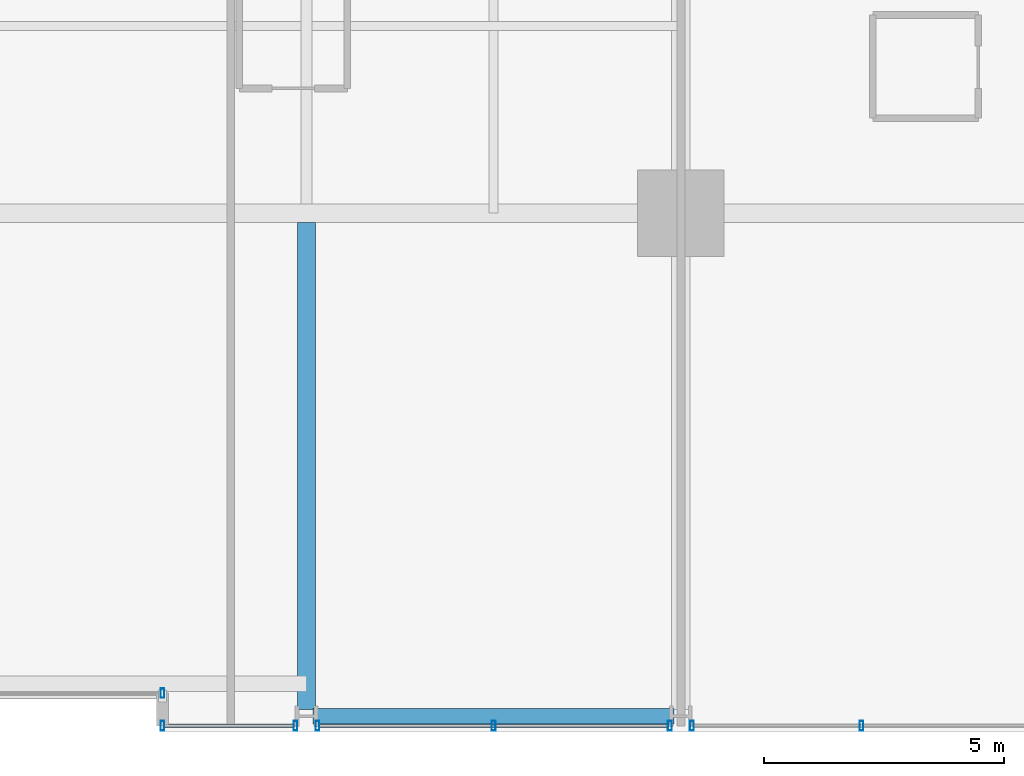
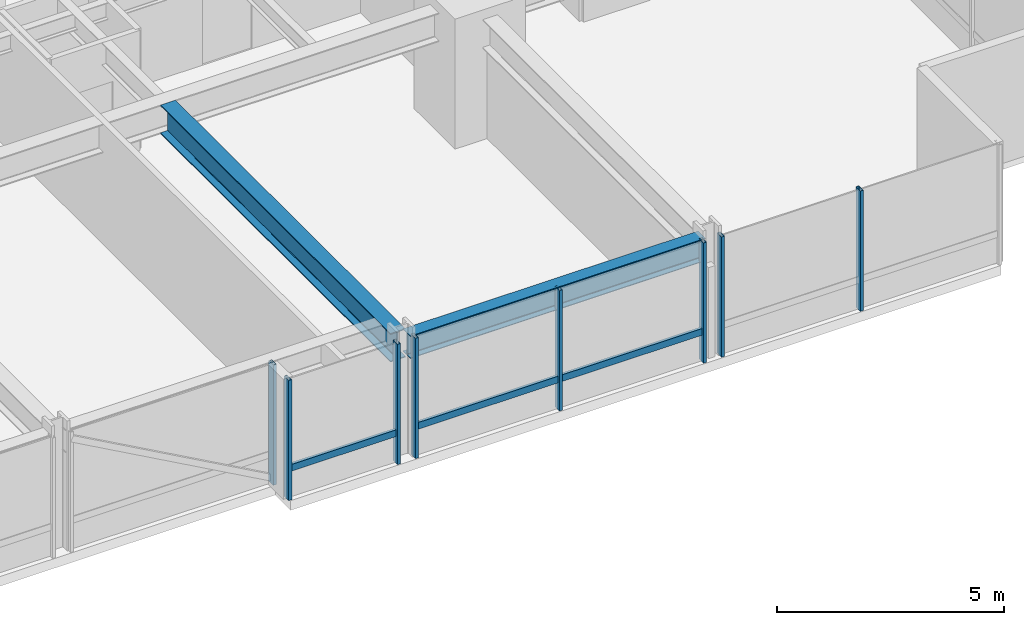
# One storey, part 11 of 38: 10 members, 2 beams, 4 elements without a shape of their own.
"""IFC4 building model written with IfcOpenShell, lengths in metres."""

import ifcopenshell
import ifcopenshell.guid

model = None  # the IFC model being written
_history = None  # IfcOwnerHistory: only IFC2X3 demands one
_inside = {}  # id of a spatial element -> (the spatial element, [elements in it])
_under = {}  # id of a project, library or spatial element -> (it, [spatial elements below it])
_declared = {}  # id of a project -> (the project, [libraries it declares])
_typed = {}  # id of a type object -> (the type object, [elements of that type])
_made_of = {}  # id of a material, layer set ... -> (it, [elements and type objects made of it])


def new_model(schema):
    """Start an empty IFC model of exactly this schema.

    Asked for "IFC4X3", IfcOpenShell would pick the latest addendum, in which some entities
    have other attributes; the version numbers below select the first issue.
    IFC2X3 requires an IfcOwnerHistory on every rooted entity: one is made here for all.
    """
    global model, _history
    if schema == "IFC4X3":
        model = ifcopenshell.file(schema_version=(4, 3, 0, 0))
    else:
        model = ifcopenshell.file(schema=schema)
    _inside.clear()
    _under.clear()
    _declared.clear()
    _typed.clear()
    _made_of.clear()
    _history = None
    if model.schema == "IFC2X3":
        org = make("IfcOrganization", Name="unknown")
        user = make(
            "IfcPersonAndOrganization",
            ThePerson=make("IfcPerson", FamilyName="unknown"),
            TheOrganization=org,
        )
        app = make(
            "IfcApplication",
            ApplicationDeveloper=org,
            Version="unknown",
            ApplicationFullName="unknown",
            ApplicationIdentifier="unknown",
        )
        _history = make(
            "IfcOwnerHistory",
            OwningUser=user,
            OwningApplication=app,
            ChangeAction="ADDED",
            CreationDate=0,
        )
    return model


def make(cls, **values):
    """One entity of the class cls with the attributes given. An attribute that is None is left unset."""
    return model.create_entity(
        cls, **{name: value for name, value in values.items() if value is not None}
    )


def rooted(cls, **values):
    """An entity with a GlobalId (a new one), such as an element, a storey or a relation."""
    return make(cls, GlobalId=ifcopenshell.guid.new(), OwnerHistory=_history, **values)


def si_unit(unit_type, name, prefix=None):
    """IfcSIUnit, for example si_unit("LENGTHUNIT", "METRE", prefix="MILLI")."""
    return make("IfcSIUnit", UnitType=unit_type, Prefix=prefix, Name=name)


def assignment(units):
    """IfcUnitAssignment: the units of a project."""
    return None if units is None else make("IfcUnitAssignment", Units=units)


def point(xyz):
    """IfcCartesianPoint."""
    return None if xyz is None else make("IfcCartesianPoint", Coordinates=xyz)


def direction(xyz):
    """IfcDirection."""
    return None if xyz is None else make("IfcDirection", DirectionRatios=xyz)


def frame(location, z_axis=None, x_axis=None):
    """IfcAxis2Placement3D, a coordinate frame: its origin and axes. An axis left out is left unset."""
    return make(
        "IfcAxis2Placement3D",
        Location=point(location),
        Axis=direction(z_axis),
        RefDirection=direction(x_axis),
    )


def frame_2d(location, x_axis=None):
    """IfcAxis2Placement2D, a coordinate frame in the plane: its origin and x axis."""
    return make(
        "IfcAxis2Placement2D", Location=point(location), RefDirection=direction(x_axis)
    )


def origin():
    """The frame at (0, 0, 0) with its axes left unset."""
    return frame((0.0, 0.0, 0.0))


def origin_2d():
    """The frame at (0, 0) in the plane with its x axis left unset."""
    return frame_2d((0.0, 0.0))


def place(relative_to, where):
    """IfcLocalPlacement: puts the frame where relative to a parent placement (None: the world)."""
    return make(
        "IfcLocalPlacement", PlacementRelTo=relative_to, RelativePlacement=where
    )


def context(
    kind, dimensions, precision=None, world=None, true_north=None, identifier=None
):
    """IfcGeometricRepresentationContext, for example the 3D "Model" context."""
    return make(
        "IfcGeometricRepresentationContext",
        ContextIdentifier=identifier,
        ContextType=kind,
        CoordinateSpaceDimension=dimensions,
        Precision=precision,
        WorldCoordinateSystem=world,
        TrueNorth=true_north,
    )


def subcontext(parent, identifier, kind, view, scale=None):
    """IfcGeometricRepresentationSubContext, for example "Body" below "Model"."""
    return make(
        "IfcGeometricRepresentationSubContext",
        ContextIdentifier=identifier,
        ContextType=kind,
        ParentContext=parent,
        TargetScale=scale,
        TargetView=view,
    )


def project(units=None, contexts=None):
    """IfcProject with its units and contexts."""
    return rooted(
        "IfcProject",
        Name="project",
        RepresentationContexts=contexts,
        UnitsInContext=assignment(units),
    )


def spatial(cls, under=None, at=None, **own):
    """A site, building, storey or space (cls), placed at a placement, below another one or the project."""
    s = rooted(cls, ObjectPlacement=at, **own)
    if under is not None:
        _under.setdefault(under.id(), (under, []))[1].append(s)
    return s


def profile(cls, at=None, kind="AREA", **sizes):
    """A parametric profile (cls). Its sizes go by their IFC names, for example OverallWidth=200.0."""
    return make(cls, ProfileType=kind, Position=at, **sizes)


def hollow_rectangle(**sizes):
    """IfcRectangleHollowProfileDef."""
    return profile("IfcRectangleHollowProfileDef", **sizes)


def i_section(**sizes):
    """IfcIShapeProfileDef."""
    return profile("IfcIShapeProfileDef", **sizes)


def extrude(swept, where, along, depth):
    """IfcExtrudedAreaSolid: the profile swept, set in the frame where, extruded along a direction by depth."""
    return make(
        "IfcExtrudedAreaSolid",
        SweptArea=swept,
        Position=where,
        ExtrudedDirection=direction(along),
        Depth=depth,
    )


def shape(context_of_items, identifier, shape_type, items):
    """IfcShapeRepresentation: the items that make up one representation, for example the "Body"."""
    return make(
        "IfcShapeRepresentation",
        ContextOfItems=context_of_items,
        RepresentationIdentifier=identifier,
        RepresentationType=shape_type,
        Items=items,
    )


def material(Name=None, Category=None):
    """IfcMaterial."""
    return make("IfcMaterial", Name=Name, Category=Category)


def layer(
    of_material, thickness, ventilated=None, Name=None, Category=None, Priority=None
):
    """IfcMaterialLayer: one layer of a wall or slab, of a material (None: an air gap)."""
    return make(
        "IfcMaterialLayer",
        Material=of_material,
        LayerThickness=thickness,
        IsVentilated=ventilated,
        Name=Name,
        Category=Category,
        Priority=Priority,
    )


def layer_set(layers, Name=None):
    """IfcMaterialLayerSet."""
    return make("IfcMaterialLayerSet", MaterialLayers=layers, LayerSetName=Name)


def material_profile(
    of_material, cross_section, Name=None, Category=None, Priority=None
):
    """IfcMaterialProfile: a cross section and its material."""
    return make(
        "IfcMaterialProfile",
        Name=Name,
        Material=of_material,
        Profile=cross_section,
        Priority=Priority,
        Category=Category,
    )


def profile_set(profiles, Name=None, composite=None):
    """IfcMaterialProfileSet."""
    return make(
        "IfcMaterialProfileSet",
        Name=Name,
        MaterialProfiles=profiles,
        CompositeProfile=composite,
    )


def made_of(thing, what):
    """Note that an element or type object is made of a material, layer set ...; save() writes the relation."""
    if what is not None:
        _made_of.setdefault(what.id(), (what, []))[1].append(thing)
    return thing


def type_object(cls, material=None, **own):
    """A type object (cls), such as IfcWallType, which elements share."""
    return made_of(rooted(cls, **own), material)


def element(
    cls,
    number,
    at=None,
    inside=None,
    cuts=None,
    type_object=None,
    material=None,
    context=None,
    identifier="Body",
    shape_type=None,
    held_by="IfcProductDefinitionShape",
    body=None,
    shapes=None,
    **own,
):
    """One element of the class cls, such as IfcWall. Its Tag is "e" and its number.

    at: its placement. inside: the storey or other place that contains it. cuts: it is an
    opening in that element (IfcRelVoidsElement). A single representation is given by context,
    identifier, shape_type and body (its items); several are given by shapes. held_by: the class
    of the entity that holds the representations. save() writes the other relations.
    """
    e = rooted(cls, Tag="e%d" % number, ObjectPlacement=at, **own)
    if body is not None:
        shapes = [shape(context, identifier, shape_type, body)]
    if shapes is not None:
        e.Representation = make(held_by, Representations=shapes)
    if inside is not None:
        _inside.setdefault(inside.id(), (inside, []))[1].append(e)
    if cuts is not None:
        rooted(
            "IfcRelVoidsElement", RelatingBuildingElement=cuts, RelatedOpeningElement=e
        )
    if type_object is not None:
        _typed.setdefault(type_object.id(), (type_object, []))[1].append(e)
    return made_of(e, material)


def aggregate(whole, parts):
    """IfcRelAggregates: a whole, such as a stair, and the parts it consists of."""
    return rooted("IfcRelAggregates", RelatingObject=whole, RelatedObjects=parts)


def save(model, path):
    """Write the relations noted so far, then the file.

    IfcRelAggregates (storeys below a building ...), IfcRelContainedInSpatialStructure (elements
    in a storey), IfcRelDefinesByType, IfcRelAssociatesMaterial and IfcRelDeclares: one each for
    every whole, place, type object, material and project.
    """
    for whole, parts in _under.values():
        aggregate(whole, parts)
    for where, things in _inside.values():
        rooted(
            "IfcRelContainedInSpatialStructure",
            RelatedElements=things,
            RelatingStructure=where,
        )
    for kind, things in _typed.values():
        rooted("IfcRelDefinesByType", RelatedObjects=things, RelatingType=kind)
    for what, things in _made_of.values():
        rooted("IfcRelAssociatesMaterial", RelatedObjects=things, RelatingMaterial=what)
    for by, libraries in _declared.values():
        rooted("IfcRelDeclares", RelatingContext=by, RelatedDefinitions=libraries)
    model.write(path)


model = new_model("IFC4")

# Units and contexts
model_context = context("Model", 3, precision=1e-05, world=origin(), true_north=direction((0.0, 1.0)))
body_context = subcontext(model_context, "Body", "Model", "MODEL_VIEW")
ifc_project = project(units=[si_unit("LENGTHUNIT", "METRE"), si_unit("AREAUNIT", "SQUARE_METRE"), si_unit("VOLUMEUNIT", "CUBIC_METRE"), si_unit("PLANEANGLEUNIT", "RADIAN"), si_unit("MASSUNIT", "GRAM", prefix="KILO")], contexts=[model_context])

# Site, building, storey
site_placement = place(None, origin())
site = spatial("IfcSite", under=ifc_project, at=site_placement, CompositionType="ELEMENT")
building_placement = place(site_placement, origin())
building = spatial("IfcBuilding", under=site, at=building_placement, Name="Drelvath Grand Hotel", CompositionType="ELEMENT")
storey_placement = place(building_placement, frame((0.0, 0.0, 71.699951171875)))
storey = spatial("IfcBuildingStorey", under=building, at=storey_placement, Name="L17", CompositionType="ELEMENT", Elevation=71.699951171875)

# Curtain wall, member
ifc_material_1 = material(Name="Warm Bronze Anodised Aluminium Frame", Category="aluminium")
ifc_layer = layer(ifc_material_1, 0.199951171875)
ifc_layer_set = layer_set([ifc_layer], Name="Warm Bronze Anodised Aluminium Frame")
curtain_wall_type = type_object("IfcCurtainWallType", Name="Stick Curtain Wall CW-02 Warm Bronze Low-Rise", PredefinedType="NOTDEFINED", material=ifc_layer_set)
curtain_wall_1_placement = place(storey_placement, origin())
curtain_wall_1 = element("IfcCurtainWall", 1, at=curtain_wall_1_placement, inside=storey, type_object=curtain_wall_type, Name="L17 CW-02 Curtain Wall CW02-L17-SE1", PredefinedType="NOTDEFINED")
ifc_material_profile_1 = material_profile(ifc_material_1, hollow_rectangle(XDim=0.074951171875, YDim=0.179931640625, WallThickness=0.0048828125, at=origin_2d()), Name="HSS180X75X5")
ifc_profile_set_1 = profile_set([ifc_material_profile_1], Name="Warm Bronze Anodised Aluminium Frame")
member_type_1 = type_object("IfcMemberType", Name="Curtain Wall Horizontal Transom CW-02 HSS180X75X5", PredefinedType="USERDEFINED", material=ifc_profile_set_1)
member_1_placement = place(storey_placement, frame((8.130859375, 0.1201171875, 0.81005859375), z_axis=(-1.0, 0.0, 0.0), x_axis=(0.0, -1.0, 0.0)))
member_1 = element("IfcMember", 2, at=member_1_placement, type_object=member_type_1, Name="CW02-L17-SE1 Sill Transom", ObjectType="TRANSOM", PredefinedType="USERDEFINED", context=body_context, shape_type="SweptSolid", body=[
    extrude(hollow_rectangle(XDim=0.074951171875, YDim=0.179931640625, WallThickness=0.0048828125, at=origin_2d()), origin(), (0.0, 0.0, 1.0), 2.69091796875),
])

curtain_wall_2_placement = place(storey_placement, origin())
curtain_wall_2 = element("IfcCurtainWall", 3, at=curtain_wall_2_placement, inside=storey, type_object=curtain_wall_type, Name="L17 CW-02 Curtain Wall CW02-L17-SE2", PredefinedType="NOTDEFINED")
member_2_placement = place(storey_placement, frame((15.930908203125, 0.1201171875, 0.81005859375), z_axis=(-1.0, 0.0, 0.0), x_axis=(0.0, -1.0, 0.0)))
member_2 = element("IfcMember", 4, at=member_2_placement, type_object=member_type_1, Name="CW02-L17-SE2 Sill Transom", ObjectType="TRANSOM", PredefinedType="USERDEFINED", context=body_context, shape_type="SweptSolid", body=[
    extrude(hollow_rectangle(XDim=0.074951171875, YDim=0.179931640625, WallThickness=0.0048828125, at=origin_2d()), origin(), (0.0, 0.0, 1.0), 7.26171875),
])

# Member
ifc_material_profile_2 = material_profile(ifc_material_1, hollow_rectangle(XDim=0.080078125, YDim=0.199951171875, WallThickness=0.0048828125, at=origin_2d()), Name="HSS200X80X5")
ifc_profile_set_2 = profile_set([ifc_material_profile_2], Name="Warm Bronze Anodised Aluminium Frame")
member_type_2 = type_object("IfcMemberType", Name="Curtain Wall Vertical Mullion CW-02 HSS200X80X5", PredefinedType="MULLION", material=ifc_profile_set_2)
member_3_placement = place(storey_placement, frame((8.1708984375, 0.1201171875, 0.0), z_axis=(0.0, 0.0, 1.0), x_axis=(1.0, 0.0, 0.0)))
member_3 = element("IfcMember", 5, at=member_3_placement, type_object=member_type_2, Name="CW02-L17-SE1 Mullion 1", PredefinedType="MULLION", context=body_context, shape_type="SweptSolid", body=[
    extrude(hollow_rectangle(XDim=0.080078125, YDim=0.199951171875, WallThickness=0.0048828125, at=origin_2d()), origin(), (0.0, 0.0, 1.0), 3.239990234375),
])

member_4_placement = place(storey_placement, frame((5.39990234375, 0.1201171875, 0.0), z_axis=(0.0, 0.0, 1.0), x_axis=(1.0, 0.0, 0.0)))
member_4 = element("IfcMember", 6, at=member_4_placement, type_object=member_type_2, Name="CW02-L17-SE1 Mullion 2", PredefinedType="MULLION", context=body_context, shape_type="SweptSolid", body=[
    extrude(hollow_rectangle(XDim=0.080078125, YDim=0.199951171875, WallThickness=0.0048828125, at=origin_2d()), origin(), (0.0, 0.0, 1.0), 3.239990234375),
])

aggregate(curtain_wall_1, [member_3, member_4, member_1])

member_5_placement = place(storey_placement, frame((15.970947265625, 0.1201171875, 0.0), z_axis=(0.0, 0.0, 1.0), x_axis=(1.0, 0.0, 0.0)))
member_5 = element("IfcMember", 7, at=member_5_placement, type_object=member_type_2, Name="CW02-L17-SE2 Mullion 1", PredefinedType="MULLION", context=body_context, shape_type="SweptSolid", body=[
    extrude(hollow_rectangle(XDim=0.080078125, YDim=0.199951171875, WallThickness=0.0048828125, at=origin_2d()), origin(), (0.0, 0.0, 1.0), 3.239990234375),
])

member_6_placement = place(storey_placement, frame((12.300048828125, 0.1201171875, 0.0), z_axis=(0.0, 0.0, 1.0), x_axis=(1.0, 0.0, 0.0)))
member_6 = element("IfcMember", 8, at=member_6_placement, type_object=member_type_2, Name="CW02-L17-SE2 Mullion 2", PredefinedType="MULLION", context=body_context, shape_type="SweptSolid", body=[
    extrude(hollow_rectangle(XDim=0.080078125, YDim=0.199951171875, WallThickness=0.0048828125, at=origin_2d()), origin(), (0.0, 0.0, 1.0), 3.239990234375),
])

member_7_placement = place(storey_placement, frame((8.629150390625, 0.1201171875, 0.0), z_axis=(0.0, 0.0, 1.0), x_axis=(1.0, 0.0, 0.0)))
member_7 = element("IfcMember", 9, at=member_7_placement, type_object=member_type_2, Name="CW02-L17-SE2 Mullion 3", PredefinedType="MULLION", context=body_context, shape_type="SweptSolid", body=[
    extrude(hollow_rectangle(XDim=0.080078125, YDim=0.199951171875, WallThickness=0.0048828125, at=origin_2d()), origin(), (0.0, 0.0, 1.0), 3.239990234375),
])

aggregate(curtain_wall_2, [member_5, member_6, member_7, member_2])

# Curtain wall, members
curtain_wall_3_placement = place(storey_placement, origin())
curtain_wall_3 = element("IfcCurtainWall", 10, at=curtain_wall_3_placement, inside=storey, type_object=curtain_wall_type, Name="L17 CW-02 Curtain Wall CW02-L17-SE3", PredefinedType="NOTDEFINED")
member_8_placement = place(storey_placement, frame((19.964599609375, 0.1201171875, 0.0), z_axis=(0.0, 0.0, 1.0), x_axis=(1.0, 0.0, 0.0)))
member_8 = element("IfcMember", 11, at=member_8_placement, type_object=member_type_2, Name="CW02-L17-SE3 Mullion 2", PredefinedType="MULLION", context=body_context, shape_type="SweptSolid", body=[
    extrude(hollow_rectangle(XDim=0.080078125, YDim=0.199951171875, WallThickness=0.0048828125, at=origin_2d()), origin(), (0.0, 0.0, 1.0), 3.239990234375),
])
member_9_placement = place(storey_placement, frame((16.42919921875, 0.1201171875, 0.0), z_axis=(0.0, 0.0, 1.0), x_axis=(1.0, 0.0, 0.0)))
member_9 = element("IfcMember", 12, at=member_9_placement, type_object=member_type_2, Name="CW02-L17-SE3 Mullion 3", PredefinedType="MULLION", context=body_context, shape_type="SweptSolid", body=[
    extrude(hollow_rectangle(XDim=0.080078125, YDim=0.199951171875, WallThickness=0.0048828125, at=origin_2d()), origin(), (0.0, 0.0, 1.0), 3.239990234375),
])
aggregate(curtain_wall_3, [member_8, member_9])

# Curtain wall, member
curtain_wall_4_placement = place(storey_placement, origin())
curtain_wall_4 = element("IfcCurtainWall", 13, at=curtain_wall_4_placement, inside=storey, type_object=curtain_wall_type, Name="L17 CW-02 Curtain Wall CW02-L17-SM2", PredefinedType="NOTDEFINED")
member_10_placement = place(storey_placement, frame((5.39990234375, 0.800048828125, 0.0), z_axis=(0.0, 0.0, 1.0), x_axis=(1.0, 0.0, 0.0)))
member_10 = element("IfcMember", 14, at=member_10_placement, type_object=member_type_2, Name="CW02-L17-SM2 Mullion 1", PredefinedType="MULLION", context=body_context, shape_type="SweptSolid", body=[
    extrude(hollow_rectangle(XDim=0.080078125, YDim=0.199951171875, WallThickness=0.0048828125, at=origin_2d()), origin(), (0.0, 0.0, 1.0), 3.239990234375),
])
aggregate(curtain_wall_4, [member_10])

# Beams
ifc_material_2 = material(Name="Steel ASTM A992 Gr 50", Category="steel")
ifc_material_profile_3 = material_profile(ifc_material_2, i_section(OverallWidth=0.323974609375, OverallDepth=0.611083984375, WebThickness=0.0126953125, FlangeThickness=0.01904296875, FilletRadius=0.02197265625, at=origin_2d()), Name="W24X104")
ifc_profile_set_3 = profile_set([ifc_material_profile_3], Name="Steel ASTM A992 Gr 50")
beam_type_1 = type_object("IfcBeamType", Name="Perimeter Spandrel Beam W24X104", PredefinedType="SPANDREL", material=ifc_profile_set_3)
beam_1_placement = place(storey_placement, frame((8.5400390625, 0.320068359375, 2.9345703125), z_axis=(1.0, 0.0, 0.0), x_axis=(0.0, 1.0, 0.0)))
element("IfcBeam", 15, at=beam_1_placement, inside=storey, type_object=beam_type_1, Name="L17 Spandrel South E", PredefinedType="SPANDREL", context=body_context, shape_type="SweptSolid", body=[
    extrude(i_section(OverallWidth=0.323974609375, OverallDepth=0.611083984375, WebThickness=0.0126953125, FlangeThickness=0.01904296875, FilletRadius=0.02197265625, at=origin_2d()), origin(), (0.0, 0.0, 1.0), 7.52001953125),
])
ifc_material_profile_4 = material_profile(ifc_material_2, i_section(OverallWidth=0.380615234375, OverallDepth=0.773193359375, WebThickness=0.0166015625, FlangeThickness=0.027099609375, FilletRadius=0.02490234375, at=origin_2d()), Name="W30X173")
ifc_profile_set_4 = profile_set([ifc_material_profile_4], Name="Steel ASTM A992 Gr 50")
beam_type_2 = type_object("IfcBeamType", Name="Primary Floor Girder W30X173", PredefinedType="BEAM", material=ifc_profile_set_4)
beam_2_placement = place(storey_placement, frame((8.39990234375, 0.4599609375, 2.853515625), z_axis=(0.0, 1.0, 0.0), x_axis=(-1.0, 0.0, 0.0)))
element("IfcBeam", 16, at=beam_2_placement, inside=storey, type_object=beam_type_2, Name="L17 South Wing Girder 6", PredefinedType="BEAM", context=body_context, shape_type="SweptSolid", body=[
    extrude(i_section(OverallWidth=0.380615234375, OverallDepth=0.773193359375, WebThickness=0.0166015625, FlangeThickness=0.027099609375, FilletRadius=0.02490234375, at=origin_2d()), origin(), (0.0, 0.0, 1.0), 10.149658203125),
])

save(model, "model.ifc")
